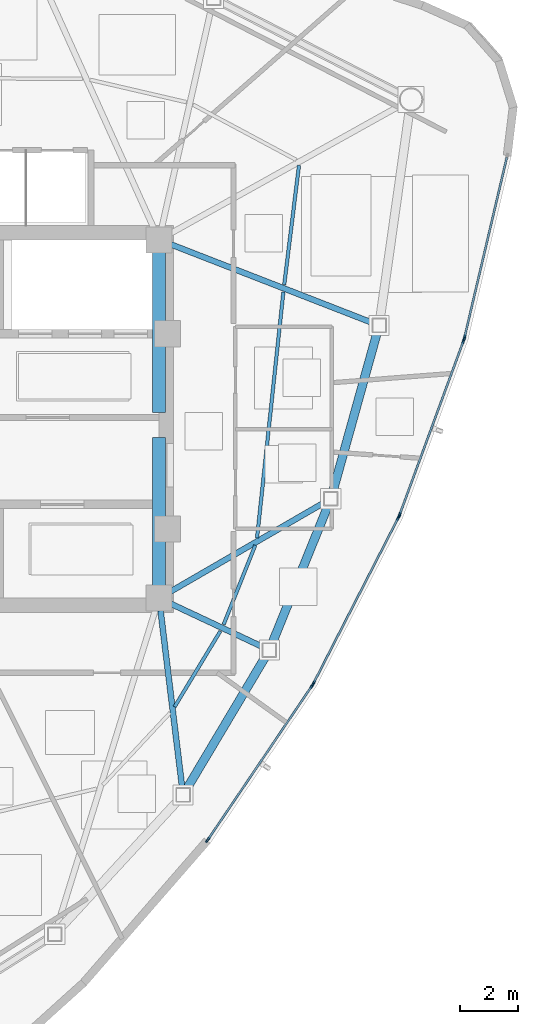
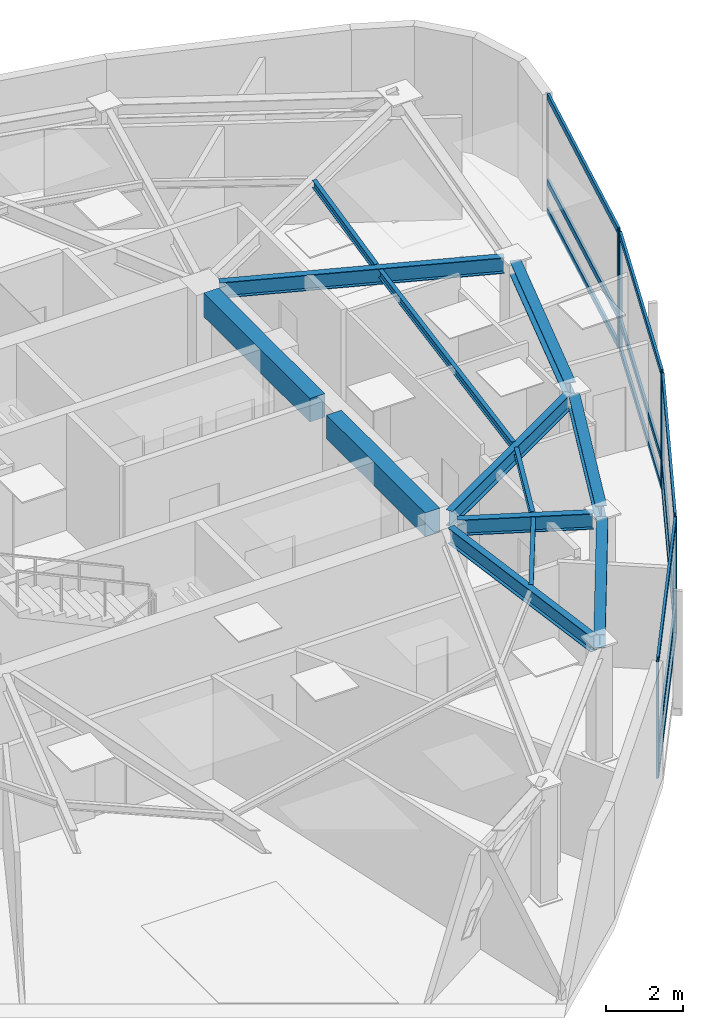
# One storey, part 4 of 12: 19 members, 13 beams, 4 elements without a shape of their own.
"""IFC4 building model written with IfcOpenShell, lengths in metres."""

from ifc_helpers import new_model, si_unit, direction, frame, origin, origin_2d, place, context, subcontext, project, spatial, rectangle, hollow_rectangle, i_section, extrude, source, transform, mapped, material, layer, layer_set, material_profile, profile_set, type_object, type_shapes, element, aggregate, save


model = new_model("IFC4")

# Units and contexts
model_context = context("Model", 3, precision=1e-05, world=origin(), true_north=direction((0.0, 1.0)))
body_context = subcontext(model_context, "Body", "Model", "MODEL_VIEW")
ifc_project = project(units=[si_unit("LENGTHUNIT", "METRE"), si_unit("AREAUNIT", "SQUARE_METRE"), si_unit("VOLUMEUNIT", "CUBIC_METRE"), si_unit("PLANEANGLEUNIT", "RADIAN"), si_unit("MASSUNIT", "GRAM", prefix="KILO")], contexts=[model_context])

# Site, building, storey
site_placement = place(None, origin())
site = spatial("IfcSite", under=ifc_project, at=site_placement, CompositionType="ELEMENT")
building_placement = place(site_placement, origin())
building = spatial("IfcBuilding", under=site, at=building_placement, Name="Tavelor Broadcast Tower", CompositionType="ELEMENT")
storey_placement = place(building_placement, frame((0.0, 0.0, 293.5)))
storey = spatial("IfcBuildingStorey", under=building, at=storey_placement, Name="L70", CompositionType="ELEMENT", Elevation=293.5)

# Beams
ifc_material_1 = material(Name="Concrete C40/50", Category="concrete")
ifc_material_profile_1 = material_profile(ifc_material_1, rectangle(XDim=0.449951171875, YDim=0.75, at=origin_2d()), Name="RC 450x750")
ifc_profile_set_1 = profile_set([ifc_material_profile_1], Name="Concrete C40/50")
beam_type_1 = type_object("IfcBeamType", Name="Basement Core Trim Beam 450x750", PredefinedType="BEAM", material=ifc_profile_set_1)
beam_1_placement = place(storey_placement, frame((56.60009765625, 45.23193359375, 3.324951171875), z_axis=(0.0, 1.0, 0.0), x_axis=(-1.0, 0.0, 0.0)))
element("IfcBeam", 1, at=beam_1_placement, inside=storey, type_object=beam_type_1, Name="L70 Core East-N Tie Girder", PredefinedType="BEAM", context=body_context, shape_type="SweptSolid", body=[
    extrude(rectangle(XDim=0.449951171875, YDim=0.75, at=origin_2d()), origin(), (0.0, 0.0, 1.0), 5.5361328125),
])
beam_2_placement = place(storey_placement, frame((56.60009765625, 39.23193359375, 3.324951171875), z_axis=(0.0, 1.0, 0.0), x_axis=(-1.0, 0.0, 0.0)))
element("IfcBeam", 2, at=beam_2_placement, inside=storey, type_object=beam_type_1, Name="L70 Core East-S Tie Girder", PredefinedType="BEAM", context=body_context, shape_type="SweptSolid", body=[
    extrude(rectangle(XDim=0.449951171875, YDim=0.75, at=origin_2d()), origin(), (0.0, 0.0, 1.0), 5.135986328125),
])
ifc_material_2 = material(Name="Steel S355", Category="steel")
ifc_material_profile_2 = material_profile(ifc_material_2, i_section(OverallWidth=0.1201171875, OverallDepth=0.239990234375, WebThickness=0.006103515625, FlangeThickness=0.009765625, at=origin_2d()), Name="IPE 240")
ifc_profile_set_2 = profile_set([ifc_material_profile_2], Name="Steel S355")
beam_type_2 = type_object("IfcBeamType", Name="Composite Floor Joist T7 IPE 240", PredefinedType="JOIST", material=ifc_profile_set_2)
beam_3_placement = place(storey_placement, frame((57.13916015625, 35.042724609375, 3.580078125), z_axis=(0.517298358592, 0.855805122793, 0.0), x_axis=(-0.855805122793, 0.517298358592, 0.0)))
element("IfcBeam", 3, at=beam_3_placement, inside=storey, type_object=beam_type_2, Name="L70 Secondary Composite Floor Joist 09", PredefinedType="JOIST", context=body_context, shape_type="SweptSolid", body=[
    extrude(i_section(OverallWidth=0.1201171875, OverallDepth=0.239990234375, WebThickness=0.006103515625, FlangeThickness=0.009765625, at=origin_2d()), origin(), (0.0, 0.0, 1.0), 3.058837890625),
])
beam_4_placement = place(storey_placement, frame((58.8359375, 37.890625, 3.580078125), z_axis=(0.370036486067, 0.929017222111, 0.0), x_axis=(-0.929017222111, 0.370036486067, 0.0)))
element("IfcBeam", 4, at=beam_4_placement, inside=storey, type_object=beam_type_2, Name="L70 Secondary Composite Floor Joist 10", PredefinedType="JOIST", context=body_context, shape_type="SweptSolid", body=[
    extrude(i_section(OverallWidth=0.1201171875, OverallDepth=0.239990234375, WebThickness=0.006103515625, FlangeThickness=0.009765625, at=origin_2d()), origin(), (0.0, 0.0, 1.0), 2.953857421875),
])
beam_5_placement = place(storey_placement, frame((59.990478515625, 40.8828125, 3.580078125), z_axis=(0.106517007909, 0.994310880473, 0.0), x_axis=(-0.994310880473, 0.106517007909, 0.0)))
element("IfcBeam", 5, at=beam_5_placement, inside=storey, type_object=beam_type_2, Name="L70 Secondary Composite Floor Joist 11", PredefinedType="JOIST", context=body_context, shape_type="SweptSolid", body=[
    extrude(i_section(OverallWidth=0.1201171875, OverallDepth=0.239990234375, WebThickness=0.006103515625, FlangeThickness=0.009765625, at=origin_2d()), origin(), (0.0, 0.0, 1.0), 8.558349609375),
])
beam_6_placement = place(storey_placement, frame((60.931884765625, 49.648681640625, 3.580078125), z_axis=(0.12271283089, 0.992442220552, 0.0), x_axis=(-0.992442220552, 0.12271283089, 0.0)))
element("IfcBeam", 6, at=beam_6_placement, inside=storey, type_object=beam_type_2, Name="L70 Secondary Composite Floor Joist 12", PredefinedType="JOIST", context=body_context, shape_type="SweptSolid", body=[
    extrude(i_section(OverallWidth=0.1201171875, OverallDepth=0.239990234375, WebThickness=0.006103515625, FlangeThickness=0.009765625, at=origin_2d()), origin(), (0.0, 0.0, 1.0), 4.16015625),
])
ifc_material_profile_3 = material_profile(ifc_material_2, i_section(OverallWidth=0.300048828125, OverallDepth=0.43994140625, WebThickness=0.011474609375, FlangeThickness=0.02099609375, at=origin_2d()), Name="HEA 450")
ifc_profile_set_3 = profile_set([ifc_material_profile_3], Name="Steel S355")
beam_type_3 = type_object("IfcBeamType", Name="Perimeter Spandrel Beam T7 HEA 450", PredefinedType="SPANDREL", material=ifc_profile_set_3)
beam_7_placement = place(storey_placement, frame((57.55419921875, 32.1982421875, 3.47998046875), z_axis=(0.511838109634, 0.859081922477, 0.0), x_axis=(-0.859081922477, 0.511838109634, 0.0)))
element("IfcBeam", 7, at=beam_7_placement, inside=storey, type_object=beam_type_3, Name="L70 Framed-Tube Ring Spandrel 09", PredefinedType="SPANDREL", context=body_context, shape_type="SweptSolid", body=[
    extrude(i_section(OverallWidth=0.300048828125, OverallDepth=0.43994140625, WebThickness=0.011474609375, FlangeThickness=0.02099609375, at=origin_2d()), origin(), (0.0, 0.0, 1.0), 5.354736328125),
])
beam_8_placement = place(storey_placement, frame((60.5078125, 37.226806640625, 3.47998046875), z_axis=(0.376269405566, 0.926510299152, 0.0), x_axis=(-0.926510299152, 0.376269405566, 0.0)))
element("IfcBeam", 8, at=beam_8_placement, inside=storey, type_object=beam_type_3, Name="L70 Framed-Tube Ring Spandrel 10", PredefinedType="SPANDREL", context=body_context, shape_type="SweptSolid", body=[
    extrude(i_section(OverallWidth=0.300048828125, OverallDepth=0.43994140625, WebThickness=0.011474609375, FlangeThickness=0.02099609375, at=origin_2d()), origin(), (0.0, 0.0, 1.0), 5.17138671875),
])
beam_9_placement = place(storey_placement, frame((62.608154296875, 42.4716796875, 3.47998046875), z_axis=(0.268356099851, 0.963319782664, 0.0), x_axis=(-0.963319782664, 0.268356099851, 0.0)))
element("IfcBeam", 9, at=beam_9_placement, inside=storey, type_object=beam_type_3, Name="L70 Framed-Tube Ring Spandrel 11", PredefinedType="SPANDREL", context=body_context, shape_type="SweptSolid", body=[
    extrude(i_section(OverallWidth=0.300048828125, OverallDepth=0.43994140625, WebThickness=0.011474609375, FlangeThickness=0.02099609375, at=origin_2d()), origin(), (0.0, 0.0, 1.0), 5.7451171875),
])
ifc_material_profile_4 = material_profile(ifc_material_2, i_section(OverallWidth=0.199951171875, OverallDepth=0.5, WebThickness=0.01025390625, FlangeThickness=0.01611328125, at=origin_2d()), Name="IPE 500")
ifc_profile_set_4 = profile_set([ifc_material_profile_4], Name="Steel S355")
beam_type_4 = type_object("IfcBeamType", Name="Radial Floor Girder T7 IPE 500", PredefinedType="BEAM", material=ifc_profile_set_4)
beam_10_placement = place(storey_placement, frame((56.65234375, 38.37109375, 3.449951171875), z_axis=(0.121231727596, -0.992624233144, 0.0), x_axis=(0.992624233144, 0.121231727596, 0.0)))
element("IfcBeam", 10, at=beam_10_placement, inside=storey, type_object=beam_type_4, Name="L70 Radial Primary Floor Girder 09", PredefinedType="BEAM", context=body_context, shape_type="SweptSolid", body=[
    extrude(i_section(OverallWidth=0.199951171875, OverallDepth=0.5, WebThickness=0.01025390625, FlangeThickness=0.01611328125, at=origin_2d()), origin(), (0.0, 0.0, 1.0), 6.1865234375),
])
beam_11_placement = place(storey_placement, frame((56.990966796875, 38.6162109375, 3.449951171875), z_axis=(0.904907602736, -0.425608071483, 0.0), x_axis=(0.425608071483, 0.904907602736, 0.0)))
element("IfcBeam", 11, at=beam_11_placement, inside=storey, type_object=beam_type_4, Name="L70 Radial Primary Floor Girder 10", PredefinedType="BEAM", context=body_context, shape_type="SweptSolid", body=[
    extrude(i_section(OverallWidth=0.199951171875, OverallDepth=0.5, WebThickness=0.01025390625, FlangeThickness=0.01611328125, at=origin_2d()), origin(), (0.0, 0.0, 1.0), 3.546630859375),
])
beam_12_placement = place(storey_placement, frame((56.973876953125, 39.016357421875, 3.449951171875), z_axis=(0.865460455047, 0.500977245741, 0.0), x_axis=(-0.500977245741, 0.865460455047, 0.0)))
element("IfcBeam", 12, at=beam_12_placement, inside=storey, type_object=beam_type_4, Name="L70 Radial Primary Floor Girder 11", PredefinedType="BEAM", context=body_context, shape_type="SweptSolid", body=[
    extrude(i_section(OverallWidth=0.199951171875, OverallDepth=0.5, WebThickness=0.01025390625, FlangeThickness=0.01611328125, at=origin_2d()), origin(), (0.0, 0.0, 1.0), 6.19580078125),
])
beam_13_placement = place(storey_placement, frame((57.002685546875, 51.04345703125, 3.449951171875), z_axis=(0.931940498833, -0.362611233466, 0.0), x_axis=(0.362611233466, 0.931940498833, 0.0)))
element("IfcBeam", 13, at=beam_13_placement, inside=storey, type_object=beam_type_4, Name="L70 Radial Primary Floor Girder 12", PredefinedType="BEAM", context=body_context, shape_type="SweptSolid", body=[
    extrude(i_section(OverallWidth=0.199951171875, OverallDepth=0.5, WebThickness=0.01025390625, FlangeThickness=0.01611328125, at=origin_2d()), origin(), (0.0, 0.0, 1.0), 7.498291015625),
])

# Curtain wall, members
ifc_material_3 = material(Name="Architectural Anodized Aluminium", Category="aluminium")
ifc_layer = layer(ifc_material_3, 0.199951171875)
ifc_layer_set = layer_set([ifc_layer], Name="Architectural Anodized Aluminium")
curtain_wall_type = type_object("IfcCurtainWallType", Name="Tower High-Zone Triple-Glazed Curtain Wall CW04", PredefinedType="NOTDEFINED", material=ifc_layer_set)
curtain_wall_1_placement = place(storey_placement, origin())
curtain_wall_1 = element("IfcCurtainWall", 14, at=curtain_wall_1_placement, inside=storey, type_object=curtain_wall_type, Name="L70 Curtain Wall CW04 Run 773", PredefinedType="NOTDEFINED")
ifc_material_profile_5 = material_profile(ifc_material_3, hollow_rectangle(XDim=0.070068359375, YDim=0.199951171875, WallThickness=0.02197265625, at=origin_2d()), Name="RHS 70x200x22")
ifc_profile_set_5 = profile_set([ifc_material_profile_5], Name="Architectural Anodized Aluminium")
member_type_1 = type_object("IfcMemberType", Name="CW04 Extruded Aluminium Mullion 70x200", PredefinedType="MULLION", material=ifc_profile_set_5)
shared_shape_1 = source(origin(), body_context, "Body", "SweptSolid", [
    extrude(hollow_rectangle(XDim=0.070068359375, YDim=0.199951171875, WallThickness=0.02197265625, at=origin_2d()), origin(), (0.0, 0.0, 1.0), 3.699951171875),
])
type_shapes(member_type_1, [shared_shape_1])
member_1_placement = place(storey_placement, frame((58.285400390625, 30.437744140625, 0.0), z_axis=(0.0, 0.0, 1.0), x_axis=(-0.828298704712, 0.56028676209, 0.0)))
member_1 = element("IfcMember", 15, at=member_1_placement, type_object=member_type_1, Name="CW04 mullion 1", PredefinedType="MULLION", context=body_context, shape_type="MappedRepresentation", body=[
    mapped(shared_shape_1, transform((0.0, 0.0, 0.0), scale=1.0)),
])
member_2_placement = place(storey_placement, frame((61.89697265625, 35.777099609375, 0.0), z_axis=(0.0, 0.0, 1.0), x_axis=(-0.828298704712, 0.56028676209, 0.0)))
member_2 = element("IfcMember", 16, at=member_2_placement, type_object=member_type_1, Name="CW04 mullion 2", PredefinedType="MULLION", context=body_context, shape_type="MappedRepresentation", body=[
    mapped(shared_shape_1, transform((0.0, 0.0, 0.0), scale=1.0)),
])

curtain_wall_2_placement = place(storey_placement, origin())
curtain_wall_2 = element("IfcCurtainWall", 17, at=curtain_wall_2_placement, inside=storey, type_object=curtain_wall_type, Name="L70 Curtain Wall CW04 Run 774", PredefinedType="NOTDEFINED")
member_3_placement = place(storey_placement, frame((61.94775390625, 35.863037109375, 0.0), z_axis=(0.0, 0.0, 1.0), x_axis=(-0.890019159755, 0.455923124298, 0.0)))
member_3 = element("IfcMember", 18, at=member_3_placement, type_object=member_type_1, Name="CW04 mullion 1", PredefinedType="MULLION", context=body_context, shape_type="MappedRepresentation", body=[
    mapped(shared_shape_1, transform((0.0, 0.0, 0.0), scale=1.0)),
])
member_4_placement = place(storey_placement, frame((64.8798828125, 41.586669921875, 0.0), z_axis=(0.0, 0.0, 1.0), x_axis=(-0.890019159755, 0.455923124298, 0.0)))
member_4 = element("IfcMember", 19, at=member_4_placement, type_object=member_type_1, Name="CW04 mullion 2", PredefinedType="MULLION", context=body_context, shape_type="MappedRepresentation", body=[
    mapped(shared_shape_1, transform((0.0, 0.0, 0.0), scale=1.0)),
])

curtain_wall_3_placement = place(storey_placement, origin())
curtain_wall_3 = element("IfcCurtainWall", 20, at=curtain_wall_3_placement, inside=storey, type_object=curtain_wall_type, Name="L70 Curtain Wall CW04 Run 775", PredefinedType="NOTDEFINED")
member_5_placement = place(storey_placement, frame((64.919921875, 41.67822265625, 0.0), z_axis=(0.0, 0.0, 1.0), x_axis=(-0.938647912553, 0.34487692915, 0.0)))
member_5 = element("IfcMember", 21, at=member_5_placement, type_object=member_type_1, Name="CW04 mullion 1", PredefinedType="MULLION", context=body_context, shape_type="MappedRepresentation", body=[
    mapped(shared_shape_1, transform((0.0, 0.0, 0.0), scale=1.0)),
])
member_6_placement = place(storey_placement, frame((67.137939453125, 47.71484375, 0.0), z_axis=(0.0, 0.0, 1.0), x_axis=(-0.938647912553, 0.34487692915, 0.0)))
member_6 = element("IfcMember", 22, at=member_6_placement, type_object=member_type_1, Name="CW04 mullion 2", PredefinedType="MULLION", context=body_context, shape_type="MappedRepresentation", body=[
    mapped(shared_shape_1, transform((0.0, 0.0, 0.0), scale=1.0)),
])

# Curtain wall, member
curtain_wall_4_placement = place(storey_placement, origin())
curtain_wall_4 = element("IfcCurtainWall", 23, at=curtain_wall_4_placement, inside=storey, type_object=curtain_wall_type, Name="L70 Curtain Wall CW04 Run 776", PredefinedType="NOTDEFINED")
member_7_placement = place(storey_placement, frame((67.16650390625, 47.810302734375, 0.0), z_axis=(0.0, 0.0, 1.0), x_axis=(-0.973484741198, 0.228751958802, 0.0)))
member_7 = element("IfcMember", 24, at=member_7_placement, type_object=member_type_1, Name="CW04 mullion 1", PredefinedType="MULLION", context=body_context, shape_type="MappedRepresentation", body=[
    mapped(shared_shape_1, transform((0.0, 0.0, 0.0), scale=1.0)),
])

# Member
ifc_material_profile_6 = material_profile(ifc_material_3, hollow_rectangle(XDim=0.070068359375, YDim=0.199951171875, WallThickness=0.02197265625, at=origin_2d()), Name="RHS 70x200x22")
ifc_profile_set_6 = profile_set([ifc_material_profile_6], Name="Architectural Anodized Aluminium")
member_type_2 = type_object("IfcMemberType", Name="CW04 Extruded Aluminium Transom 70x200", PredefinedType="USERDEFINED", material=ifc_profile_set_6)
shared_shape_2 = source(origin(), body_context, "Body", "SweptSolid", [
    extrude(hollow_rectangle(XDim=0.070068359375, YDim=0.199951171875, WallThickness=0.02197265625, at=origin_2d()), origin(), (0.0, 0.0, 1.0), 6.3759765625),
])
member_8_placement = place(storey_placement, frame((58.304931640625, 30.466796875, 0.034912109375), z_axis=(0.560298550997, 0.82829073021, 0.0), x_axis=(-0.82829073021, 0.560298550997, 0.0)))
member_8 = element("IfcMember", 25, at=member_8_placement, type_object=member_type_2, Name="CW04 transom 1.1", ObjectType="TRANSOM", PredefinedType="USERDEFINED", context=body_context, shape_type="MappedRepresentation", body=[
    mapped(shared_shape_2, transform((0.0, 0.0, 0.0), scale=1.0)),
])

member_9_placement = place(storey_placement, frame((58.304931640625, 30.466796875, 0.949951171875), z_axis=(0.560298550997, 0.82829073021, 0.0), x_axis=(-0.82829073021, 0.560298550997, 0.0)))
member_9 = element("IfcMember", 26, at=member_9_placement, type_object=member_type_2, Name="CW04 transom 1.2", ObjectType="TRANSOM", PredefinedType="USERDEFINED", context=body_context, shape_type="MappedRepresentation", body=[
    mapped(shared_shape_2, transform((0.0, 0.0, 0.0), scale=1.0)),
])

member_10_placement = place(storey_placement, frame((58.304931640625, 30.466796875, 3.6650390625), z_axis=(0.560298550997, 0.82829073021, 0.0), x_axis=(-0.82829073021, 0.560298550997, 0.0)))
member_10 = element("IfcMember", 27, at=member_10_placement, type_object=member_type_2, Name="CW04 transom 1.3", ObjectType="TRANSOM", PredefinedType="USERDEFINED", context=body_context, shape_type="MappedRepresentation", body=[
    mapped(shared_shape_2, transform((0.0, 0.0, 0.0), scale=1.0)),
])

aggregate(curtain_wall_1, [member_1, member_2, member_8, member_9, member_10])

shared_shape_3 = source(origin(), body_context, "Body", "SweptSolid", [
    extrude(hollow_rectangle(XDim=0.070068359375, YDim=0.199951171875, WallThickness=0.02197265625, at=origin_2d()), origin(), (0.0, 0.0, 1.0), 6.361083984375),
])
member_11_placement = place(storey_placement, frame((61.9638671875, 35.89404296875, 0.034912109375), z_axis=(0.455912205323, 0.890024753047, 0.0), x_axis=(-0.890024753047, 0.455912205323, 0.0)))
member_11 = element("IfcMember", 28, at=member_11_placement, type_object=member_type_2, Name="CW04 transom 1.1", ObjectType="TRANSOM", PredefinedType="USERDEFINED", context=body_context, shape_type="MappedRepresentation", body=[
    mapped(shared_shape_3, transform((0.0, 0.0, 0.0), scale=1.0)),
])

member_12_placement = place(storey_placement, frame((61.9638671875, 35.89404296875, 0.949951171875), z_axis=(0.455912205323, 0.890024753047, 0.0), x_axis=(-0.890024753047, 0.455912205323, 0.0)))
member_12 = element("IfcMember", 29, at=member_12_placement, type_object=member_type_2, Name="CW04 transom 1.2", ObjectType="TRANSOM", PredefinedType="USERDEFINED", context=body_context, shape_type="MappedRepresentation", body=[
    mapped(shared_shape_3, transform((0.0, 0.0, 0.0), scale=1.0)),
])

member_13_placement = place(storey_placement, frame((61.9638671875, 35.89404296875, 3.6650390625), z_axis=(0.455912205323, 0.890024753047, 0.0), x_axis=(-0.890024753047, 0.455912205323, 0.0)))
member_13 = element("IfcMember", 30, at=member_13_placement, type_object=member_type_2, Name="CW04 transom 1.3", ObjectType="TRANSOM", PredefinedType="USERDEFINED", context=body_context, shape_type="MappedRepresentation", body=[
    mapped(shared_shape_3, transform((0.0, 0.0, 0.0), scale=1.0)),
])

aggregate(curtain_wall_2, [member_3, member_4, member_11, member_12, member_13])

shared_shape_4 = source(origin(), body_context, "Body", "SweptSolid", [
    extrude(hollow_rectangle(XDim=0.070068359375, YDim=0.199951171875, WallThickness=0.02197265625, at=origin_2d()), origin(), (0.0, 0.0, 1.0), 6.361328125),
])
member_14_placement = place(storey_placement, frame((64.93212890625, 41.7109375, 0.034912109375), z_axis=(0.344878193116, 0.938647448147, 0.0), x_axis=(-0.938647448147, 0.344878193116, 0.0)))
member_14 = element("IfcMember", 31, at=member_14_placement, type_object=member_type_2, Name="CW04 transom 1.1", ObjectType="TRANSOM", PredefinedType="USERDEFINED", context=body_context, shape_type="MappedRepresentation", body=[
    mapped(shared_shape_4, transform((0.0, 0.0, 0.0), scale=1.0)),
])

member_15_placement = place(storey_placement, frame((64.93212890625, 41.7109375, 0.949951171875), z_axis=(0.344878193116, 0.938647448147, 0.0), x_axis=(-0.938647448147, 0.344878193116, 0.0)))
member_15 = element("IfcMember", 32, at=member_15_placement, type_object=member_type_2, Name="CW04 transom 1.2", ObjectType="TRANSOM", PredefinedType="USERDEFINED", context=body_context, shape_type="MappedRepresentation", body=[
    mapped(shared_shape_4, transform((0.0, 0.0, 0.0), scale=1.0)),
])

member_16_placement = place(storey_placement, frame((64.93212890625, 41.7109375, 3.6650390625), z_axis=(0.344878193116, 0.938647448147, 0.0), x_axis=(-0.938647448147, 0.344878193116, 0.0)))
member_16 = element("IfcMember", 33, at=member_16_placement, type_object=member_type_2, Name="CW04 transom 1.3", ObjectType="TRANSOM", PredefinedType="USERDEFINED", context=body_context, shape_type="MappedRepresentation", body=[
    mapped(shared_shape_4, transform((0.0, 0.0, 0.0), scale=1.0)),
])

aggregate(curtain_wall_3, [member_5, member_6, member_14, member_15, member_16])

shared_shape_5 = source(origin(), body_context, "Body", "SweptSolid", [
    extrude(hollow_rectangle(XDim=0.070068359375, YDim=0.199951171875, WallThickness=0.02197265625, at=origin_2d()), origin(), (0.0, 0.0, 1.0), 6.377197265625),
])
type_shapes(member_type_2, [shared_shape_2, shared_shape_3, shared_shape_4, shared_shape_5])
member_17_placement = place(storey_placement, frame((67.174560546875, 47.844482421875, 0.034912109375), z_axis=(0.228746984155, 0.97348591014, 0.0), x_axis=(-0.97348591014, 0.228746984155, 0.0)))
member_17 = element("IfcMember", 34, at=member_17_placement, type_object=member_type_2, Name="CW04 transom 1.1", ObjectType="TRANSOM", PredefinedType="USERDEFINED", context=body_context, shape_type="MappedRepresentation", body=[
    mapped(shared_shape_5, transform((0.0, 0.0, 0.0), scale=1.0)),
])

member_18_placement = place(storey_placement, frame((67.174560546875, 47.844482421875, 0.949951171875), z_axis=(0.228746984155, 0.97348591014, 0.0), x_axis=(-0.97348591014, 0.228746984155, 0.0)))
member_18 = element("IfcMember", 35, at=member_18_placement, type_object=member_type_2, Name="CW04 transom 1.2", ObjectType="TRANSOM", PredefinedType="USERDEFINED", context=body_context, shape_type="MappedRepresentation", body=[
    mapped(shared_shape_5, transform((0.0, 0.0, 0.0), scale=1.0)),
])

member_19_placement = place(storey_placement, frame((67.174560546875, 47.844482421875, 3.6650390625), z_axis=(0.228746984155, 0.97348591014, 0.0), x_axis=(-0.97348591014, 0.228746984155, 0.0)))
member_19 = element("IfcMember", 36, at=member_19_placement, type_object=member_type_2, Name="CW04 transom 1.3", ObjectType="TRANSOM", PredefinedType="USERDEFINED", context=body_context, shape_type="MappedRepresentation", body=[
    mapped(shared_shape_5, transform((0.0, 0.0, 0.0), scale=1.0)),
])

aggregate(curtain_wall_4, [member_7, member_17, member_18, member_19])

save(model, "model.ifc")
